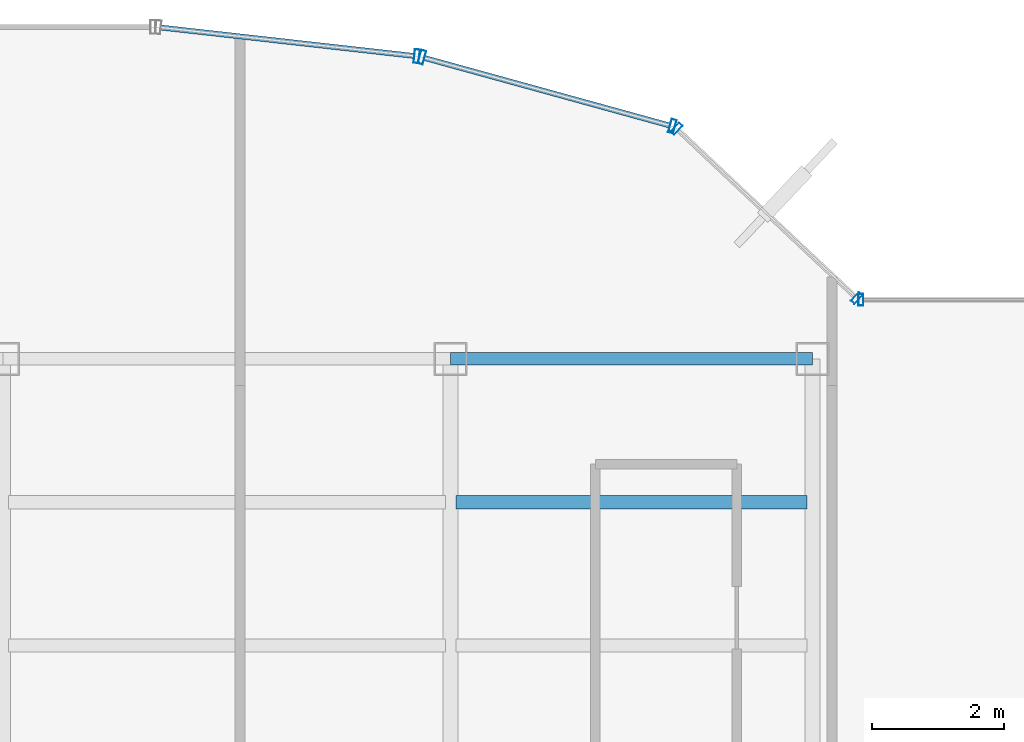
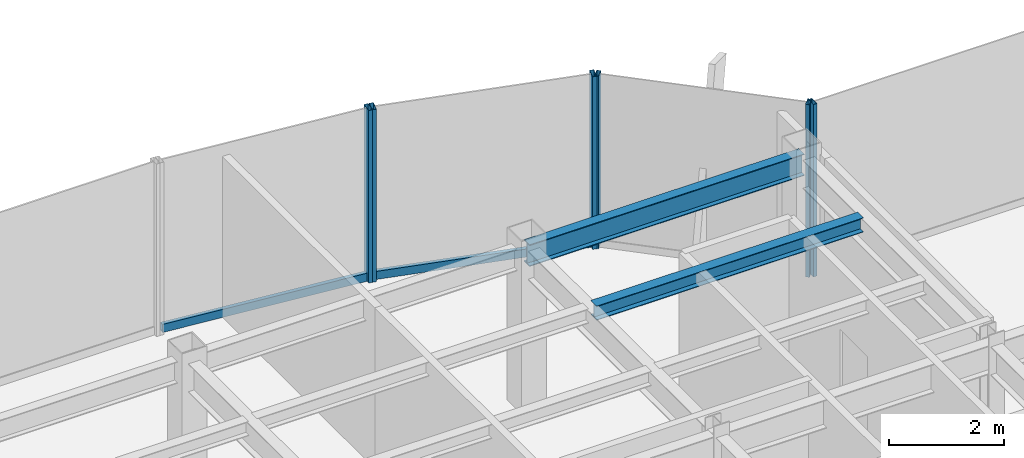
# One storey, part 14 of 22: 8 members, 2 beams, 4 elements without a shape of their own.
"""IFC4 building model written with IfcOpenShell, lengths in metres."""

from ifc_helpers import new_model, si_unit, derived_unit, direction, frame, origin, origin_2d, place, context, subcontext, project, spatial, hollow_rectangle, i_section, extrude, source, transform, mapped, material, material_profile, profile_set, type_object, element, aggregate, save


model = new_model("IFC4")

# Units and contexts
model_context = context("Model", 3, precision=1e-05, world=origin(), true_north=direction((0.0, 1.0)))
body_context = subcontext(model_context, "Body", "Model", "MODEL_VIEW")
ifc_project = project(units=[si_unit("LENGTHUNIT", "METRE"), si_unit("AREAUNIT", "SQUARE_METRE"), si_unit("VOLUMEUNIT", "CUBIC_METRE"), si_unit("PLANEANGLEUNIT", "RADIAN"), si_unit("MASSUNIT", "GRAM", prefix="KILO"), derived_unit("THERMALTRANSMITTANCEUNIT", [(si_unit("POWERUNIT", "WATT"), 1), (si_unit("LENGTHUNIT", "METRE"), -2), (si_unit("THERMODYNAMICTEMPERATUREUNIT", "KELVIN"), -1)])], contexts=[model_context])

# Site, building, storey
site_placement = place(None, origin())
site = spatial("IfcSite", under=ifc_project, at=site_placement, CompositionType="ELEMENT")
building_placement = place(site_placement, origin())
building = spatial("IfcBuilding", under=site, at=building_placement, Name="Skarnbrae Concourse Arena and Tower", CompositionType="ELEMENT")
storey_placement = place(building_placement, frame((0.0, 0.0, 262.449951171875)))
storey = spatial("IfcBuildingStorey", under=building, at=storey_placement, Name="L68", CompositionType="ELEMENT", Elevation=262.449951171875)

# Beams
ifc_material_1 = material(Name="Steel CSA G40.21 350W", Category="steel")
ifc_material_profile_1 = material_profile(ifc_material_1, i_section(OverallWidth=0.19091796875, OverallDepth=0.4599609375, WebThickness=0.010009765625, FlangeThickness=0.01611328125, at=origin_2d()), Name="W460X82")
ifc_profile_set_1 = profile_set([ifc_material_profile_1], Name="Steel CSA G40.21 350W")
beam_type_1 = type_object("IfcBeamType", Name="BM-SPAN-W460X82", PredefinedType="SPANDREL", material=ifc_profile_set_1)
shared_shape_1 = source(origin(), body_context, "Body", "SweptSolid", [
    extrude(i_section(OverallWidth=0.19091796875, OverallDepth=0.4599609375, WebThickness=0.010009765625, FlangeThickness=0.01611328125, at=origin_2d()), origin(), (0.0, 0.0, 1.0), 5.5),
])
beam_1_placement = place(storey_placement, frame((28.0, 34.39990234375, 3.170166015625), z_axis=(1.0, 0.0, 0.0), x_axis=(0.0, 1.0, 0.0)))
element("IfcBeam", 1, at=beam_1_placement, inside=storey, type_object=beam_type_1, Name="L68 Perimeter spandrel Y34.4-4", PredefinedType="SPANDREL", context=body_context, shape_type="MappedRepresentation", body=[
    mapped(shared_shape_1, transform((0.0, 0.0, 0.0))),
])
ifc_material_profile_2 = material_profile(ifc_material_1, i_section(OverallWidth=0.202880859375, OverallDepth=0.302978515625, WebThickness=0.007568359375, FlangeThickness=0.01318359375, at=origin_2d()), Name="W310X60")
ifc_profile_set_2 = profile_set([ifc_material_profile_2], Name="Steel CSA G40.21 350W")
beam_type_2 = type_object("IfcBeamType", Name="BM-JOIST-W310X60", PredefinedType="JOIST", material=ifc_profile_set_2)
shared_shape_2 = source(origin(), body_context, "Body", "SweptSolid", [
    extrude(i_section(OverallWidth=0.202880859375, OverallDepth=0.302978515625, WebThickness=0.007568359375, FlangeThickness=0.01318359375, at=origin_2d()), origin(), (0.0, 0.0, 1.0), 5.33984375),
])
beam_2_placement = place(storey_placement, frame((28.080078125, 32.221923828125, 3.24853515625), z_axis=(1.0, 0.0, 0.0), x_axis=(0.0, 1.0, 0.0)))
element("IfcBeam", 2, at=beam_2_placement, inside=storey, type_object=beam_type_2, Name="L68 Secondary floor joist 3.2.4", PredefinedType="JOIST", context=body_context, shape_type="MappedRepresentation", body=[
    mapped(shared_shape_2, transform((0.0, 0.0, 0.0))),
])

# Curtain wall, members
ifc_material_2 = material(Name="Bronze anodised aluminium 6063-T6", Category="aluminium")
curtain_wall_type_1 = type_object("IfcCurtainWallType", Name="CW-SYS-03-PORTAL", PredefinedType="USERDEFINED", material=ifc_material_2)
curtain_wall_1_placement = place(storey_placement, origin())
curtain_wall_1 = element("IfcCurtainWall", 3, at=curtain_wall_1_placement, inside=storey, type_object=curtain_wall_type_1, Name="L68 Unitised curtain wall CW-L68-E09", ObjectType="UNITISED CURTAIN WALL", PredefinedType="USERDEFINED")
ifc_material_profile_3 = material_profile(ifc_material_2, hollow_rectangle(XDim=0.080078125, YDim=0.2099609375, WallThickness=0.00439453125, at=origin_2d()), Name="ALU-MULL-80X210")
ifc_profile_set_3 = profile_set([ifc_material_profile_3], Name="Bronze anodised aluminium 6063-T6")
member_type_1 = type_object("IfcMemberType", Name="CWM-CW-03", PredefinedType="MULLION", material=ifc_profile_set_3)
shared_shape_3 = source(origin(), body_context, "Body", "SweptSolid", [
    extrude(hollow_rectangle(XDim=0.080078125, YDim=0.2099609375, WallThickness=0.00439453125, at=origin_2d()), origin(), (0.0, 0.0, 1.0), 3.650146484375),
])
member_1_placement = place(storey_placement, frame((31.37109375, 37.937255859375, 0.0), z_axis=(0.0, 0.0, 1.0), x_axis=(-0.964057388766, 0.265694093207, 0.0)))
member_1 = element("IfcMember", 4, at=member_1_placement, type_object=member_type_1, Name="CW-L68-E09 Mullion 1", PredefinedType="MULLION", context=body_context, shape_type="MappedRepresentation", body=[
    mapped(shared_shape_3, transform((0.0, 0.0, 0.0))),
])
member_2_placement = place(storey_placement, frame((27.564453125, 38.986572265625, 0.0), z_axis=(0.0, 0.0, 1.0), x_axis=(-0.964057388766, 0.265694093207, 0.0)))
member_2 = element("IfcMember", 5, at=member_2_placement, type_object=member_type_1, Name="CW-L68-E09 Mullion 2", PredefinedType="MULLION", context=body_context, shape_type="MappedRepresentation", body=[
    mapped(shared_shape_3, transform((0.0, 0.0, 0.0))),
])

# Curtain wall, member
curtain_wall_2_placement = place(storey_placement, origin())
curtain_wall_2 = element("IfcCurtainWall", 6, at=curtain_wall_2_placement, inside=storey, type_object=curtain_wall_type_1, Name="L68 Unitised curtain wall CW-L68-E10", ObjectType="UNITISED CURTAIN WALL", PredefinedType="USERDEFINED")
member_3_placement = place(storey_placement, frame((27.486083984375, 39.001708984375, 0.0), z_axis=(0.0, 0.0, 1.0), x_axis=(-0.993768891873, 0.111460259941, 0.0)))
member_3 = element("IfcMember", 7, at=member_3_placement, type_object=member_type_1, Name="CW-L68-E10 Mullion 1", PredefinedType="MULLION", context=body_context, shape_type="MappedRepresentation", body=[
    mapped(shared_shape_3, transform((0.0, 0.0, 0.0))),
])

curtain_wall_type_2 = type_object("IfcCurtainWallType", Name="CW-SYS-05-HIGHZONE", PredefinedType="USERDEFINED", material=ifc_material_2)
curtain_wall_3_placement = place(storey_placement, origin())
curtain_wall_3 = element("IfcCurtainWall", 8, at=curtain_wall_3_placement, inside=storey, type_object=curtain_wall_type_2, Name="L68 Unitised curtain wall CW-L68-E07", ObjectType="UNITISED CURTAIN WALL", PredefinedType="USERDEFINED")
ifc_material_profile_4 = material_profile(ifc_material_2, hollow_rectangle(XDim=0.074951171875, YDim=0.179931640625, WallThickness=0.00390625, at=origin_2d()), Name="ALU-MULL-75X180")
ifc_profile_set_4 = profile_set([ifc_material_profile_4], Name="Bronze anodised aluminium 6063-T6")
member_type_2 = type_object("IfcMemberType", Name="CWM-CW-05", PredefinedType="MULLION", material=ifc_profile_set_4)
shared_shape_4 = source(origin(), body_context, "Body", "SweptSolid", [
    extrude(hollow_rectangle(XDim=0.074951171875, YDim=0.179931640625, WallThickness=0.00390625, at=origin_2d()), origin(), (0.0, 0.0, 1.0), 3.650146484375),
])
member_4_placement = place(storey_placement, frame((34.237548828125, 35.300048828125, 0.0), z_axis=(0.0, 0.0, 1.0), x_axis=(-1.0, 0.0, 0.0)))
member_4 = element("IfcMember", 9, at=member_4_placement, type_object=member_type_2, Name="CW-L68-E07 Mullion 2", PredefinedType="MULLION", context=body_context, shape_type="MappedRepresentation", body=[
    mapped(shared_shape_4, transform((0.0, 0.0, 0.0))),
])
aggregate(curtain_wall_3, [member_4])

# Curtain wall, members
curtain_wall_4_placement = place(storey_placement, origin())
curtain_wall_4 = element("IfcCurtainWall", 10, at=curtain_wall_4_placement, inside=storey, type_object=curtain_wall_type_2, Name="L68 Unitised curtain wall CW-L68-E08", ObjectType="UNITISED CURTAIN WALL", PredefinedType="USERDEFINED")
member_5_placement = place(storey_placement, frame((34.172607421875, 35.32568359375, 0.0), z_axis=(0.0, 0.0, 1.0), x_axis=(-0.728130555214, 0.685438468838, 0.0)))
member_5 = element("IfcMember", 11, at=member_5_placement, type_object=member_type_2, Name="CW-L68-E08 Mullion 1", PredefinedType="MULLION", context=body_context, shape_type="MappedRepresentation", body=[
    mapped(shared_shape_4, transform((0.0, 0.0, 0.0))),
])
member_6_placement = place(storey_placement, frame((31.43701171875, 37.90087890625, 0.0), z_axis=(0.0, 0.0, 1.0), x_axis=(-0.728130555214, 0.685438468838, 0.0)))
member_6 = element("IfcMember", 12, at=member_6_placement, type_object=member_type_2, Name="CW-L68-E08 Mullion 2", PredefinedType="MULLION", context=body_context, shape_type="MappedRepresentation", body=[
    mapped(shared_shape_4, transform((0.0, 0.0, 0.0))),
])
aggregate(curtain_wall_4, [member_5, member_6])

# Member
ifc_material_profile_5 = material_profile(ifc_material_2, hollow_rectangle(XDim=0.080078125, YDim=0.169921875, WallThickness=0.00439453125, at=origin_2d()), Name="ALU-TRAN-80X170")
ifc_profile_set_5 = profile_set([ifc_material_profile_5], Name="Bronze anodised aluminium 6063-T6")
member_type_3 = type_object("IfcMemberType", Name="CWT-CW-03", PredefinedType="USERDEFINED", material=ifc_profile_set_5)
shared_shape_5 = source(origin(), body_context, "Body", "SweptSolid", [
    extrude(hollow_rectangle(XDim=0.080078125, YDim=0.169921875, WallThickness=0.00439453125, at=origin_2d()), origin(), (0.0, 0.0, 1.0), 3.86865234375),
])
member_7_placement = place(storey_placement, frame((31.33251953125, 37.947998046875, 0.0849609375), z_axis=(-0.964062872218, 0.265674195983, 0.0), x_axis=(-0.265674195983, -0.964062872218, 0.0)))
member_7 = element("IfcMember", 13, at=member_7_placement, type_object=member_type_3, Name="CW-L68-E09 Transom 1", ObjectType="TRANSOM", PredefinedType="USERDEFINED", context=body_context, shape_type="MappedRepresentation", body=[
    mapped(shared_shape_5, transform((0.0, 0.0, 0.0))),
])

aggregate(curtain_wall_1, [member_1, member_2, member_7])

shared_shape_6 = source(origin(), body_context, "Body", "SweptSolid", [
    extrude(hollow_rectangle(XDim=0.080078125, YDim=0.169921875, WallThickness=0.00439453125, at=origin_2d()), origin(), (0.0, 0.0, 1.0), 3.873779296875),
])
member_8_placement = place(storey_placement, frame((27.4462890625, 39.006103515625, 0.0849609375), z_axis=(-0.993772558096, 0.111427567397, 0.0), x_axis=(-0.111427567397, -0.993772558096, 0.0)))
member_8 = element("IfcMember", 14, at=member_8_placement, type_object=member_type_3, Name="CW-L68-E10 Transom 1", ObjectType="TRANSOM", PredefinedType="USERDEFINED", context=body_context, shape_type="MappedRepresentation", body=[
    mapped(shared_shape_6, transform((0.0, 0.0, 0.0))),
])

aggregate(curtain_wall_2, [member_3, member_8])

save(model, "model.ifc")
